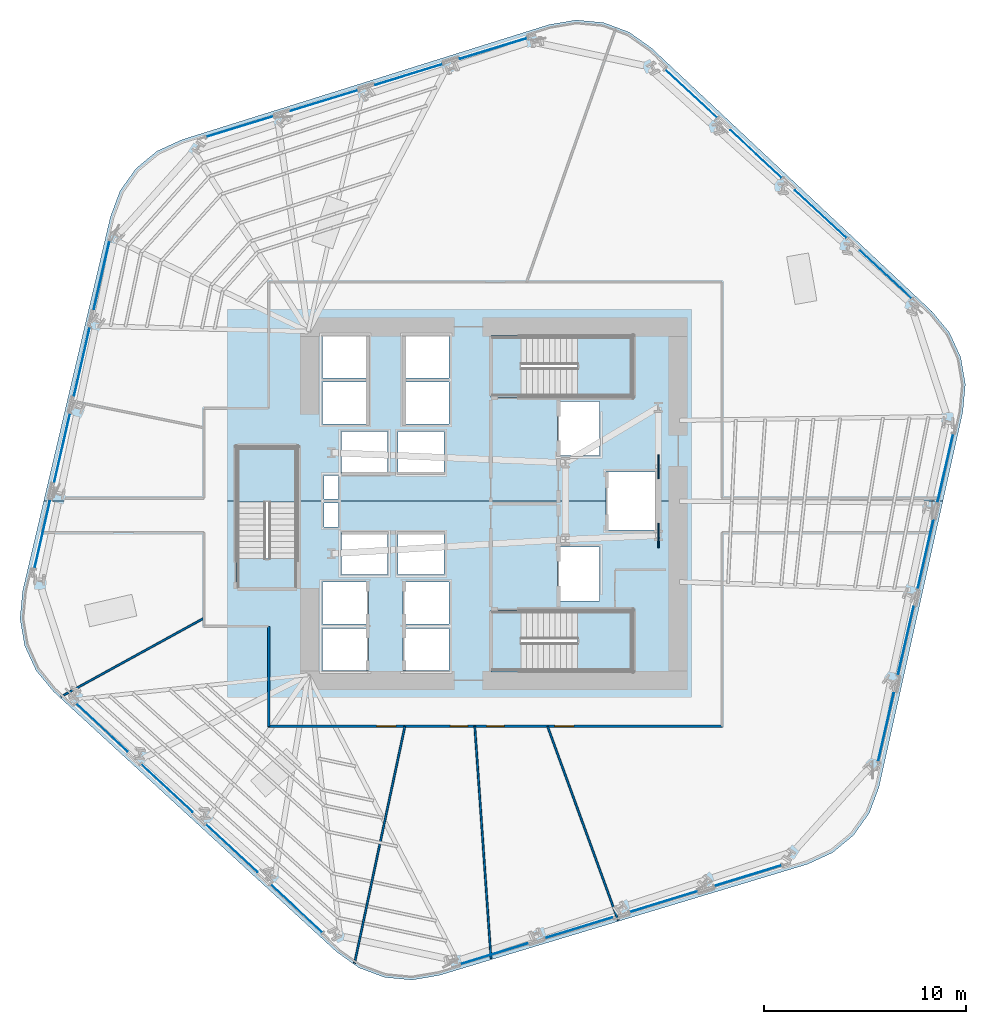
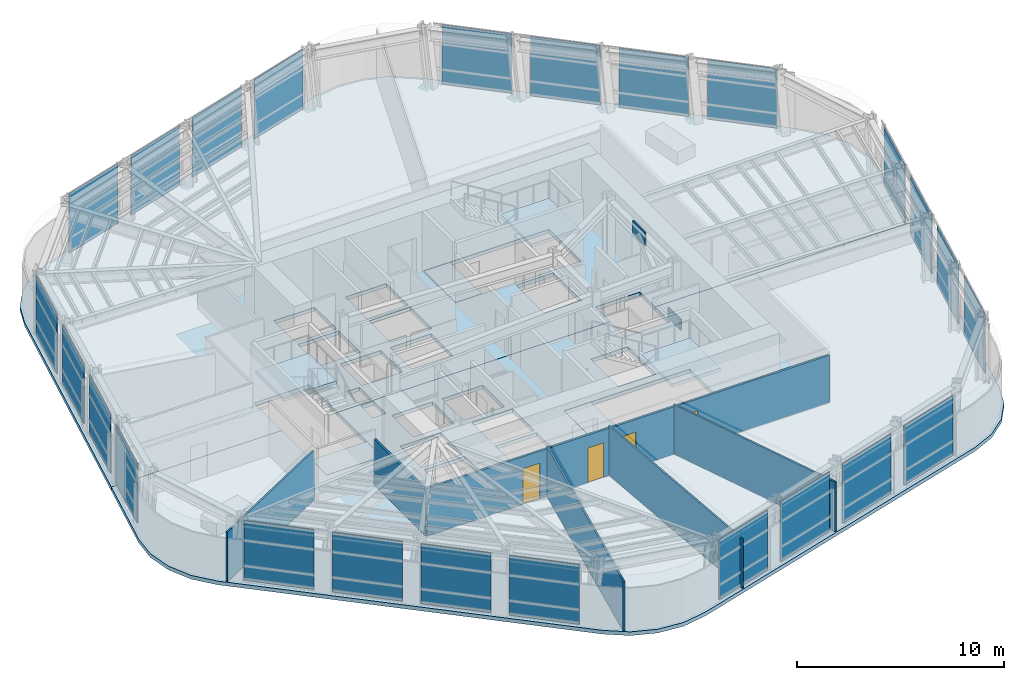
# One storey, part 8 of 16: 26 plates, 8 slabs, 6 walls, 4 doors, 4 openings, 9 elements without a shape of their own.
"""IFC4 building model written with IfcOpenShell, lengths in metres."""

import ifcopenshell
import ifcopenshell.guid

model = None  # the IFC model being written
_history = None  # IfcOwnerHistory: only IFC2X3 demands one
_inside = {}  # id of a spatial element -> (the spatial element, [elements in it])
_under = {}  # id of a project, library or spatial element -> (it, [spatial elements below it])
_declared = {}  # id of a project -> (the project, [libraries it declares])
_typed = {}  # id of a type object -> (the type object, [elements of that type])
_made_of = {}  # id of a material, layer set ... -> (it, [elements and type objects made of it])


def new_model(schema):
    """Start an empty IFC model of exactly this schema.

    Asked for "IFC4X3", IfcOpenShell would pick the latest addendum, in which some entities
    have other attributes; the version numbers below select the first issue.
    IFC2X3 requires an IfcOwnerHistory on every rooted entity: one is made here for all.
    """
    global model, _history
    if schema == "IFC4X3":
        model = ifcopenshell.file(schema_version=(4, 3, 0, 0))
    else:
        model = ifcopenshell.file(schema=schema)
    _inside.clear()
    _under.clear()
    _declared.clear()
    _typed.clear()
    _made_of.clear()
    _history = None
    if model.schema == "IFC2X3":
        org = make("IfcOrganization", Name="unknown")
        user = make(
            "IfcPersonAndOrganization",
            ThePerson=make("IfcPerson", FamilyName="unknown"),
            TheOrganization=org,
        )
        app = make(
            "IfcApplication",
            ApplicationDeveloper=org,
            Version="unknown",
            ApplicationFullName="unknown",
            ApplicationIdentifier="unknown",
        )
        _history = make(
            "IfcOwnerHistory",
            OwningUser=user,
            OwningApplication=app,
            ChangeAction="ADDED",
            CreationDate=0,
        )
    return model


def make(cls, **values):
    """One entity of the class cls with the attributes given. An attribute that is None is left unset."""
    return model.create_entity(
        cls, **{name: value for name, value in values.items() if value is not None}
    )


def rooted(cls, **values):
    """An entity with a GlobalId (a new one), such as an element, a storey or a relation."""
    return make(cls, GlobalId=ifcopenshell.guid.new(), OwnerHistory=_history, **values)


def si_unit(unit_type, name, prefix=None):
    """IfcSIUnit, for example si_unit("LENGTHUNIT", "METRE", prefix="MILLI")."""
    return make("IfcSIUnit", UnitType=unit_type, Prefix=prefix, Name=name)


def assignment(units):
    """IfcUnitAssignment: the units of a project."""
    return None if units is None else make("IfcUnitAssignment", Units=units)


def point(xyz):
    """IfcCartesianPoint."""
    return None if xyz is None else make("IfcCartesianPoint", Coordinates=xyz)


def direction(xyz):
    """IfcDirection."""
    return None if xyz is None else make("IfcDirection", DirectionRatios=xyz)


def frame(location, z_axis=None, x_axis=None):
    """IfcAxis2Placement3D, a coordinate frame: its origin and axes. An axis left out is left unset."""
    return make(
        "IfcAxis2Placement3D",
        Location=point(location),
        Axis=direction(z_axis),
        RefDirection=direction(x_axis),
    )


def frame_2d(location, x_axis=None):
    """IfcAxis2Placement2D, a coordinate frame in the plane: its origin and x axis."""
    return make(
        "IfcAxis2Placement2D", Location=point(location), RefDirection=direction(x_axis)
    )


def origin():
    """The frame at (0, 0, 0) with its axes left unset."""
    return frame((0.0, 0.0, 0.0))


def origin_2d():
    """The frame at (0, 0) in the plane with its x axis left unset."""
    return frame_2d((0.0, 0.0))


def place(relative_to, where):
    """IfcLocalPlacement: puts the frame where relative to a parent placement (None: the world)."""
    return make(
        "IfcLocalPlacement", PlacementRelTo=relative_to, RelativePlacement=where
    )


def context(
    kind, dimensions, precision=None, world=None, true_north=None, identifier=None
):
    """IfcGeometricRepresentationContext, for example the 3D "Model" context."""
    return make(
        "IfcGeometricRepresentationContext",
        ContextIdentifier=identifier,
        ContextType=kind,
        CoordinateSpaceDimension=dimensions,
        Precision=precision,
        WorldCoordinateSystem=world,
        TrueNorth=true_north,
    )


def subcontext(parent, identifier, kind, view, scale=None):
    """IfcGeometricRepresentationSubContext, for example "Body" below "Model"."""
    return make(
        "IfcGeometricRepresentationSubContext",
        ContextIdentifier=identifier,
        ContextType=kind,
        ParentContext=parent,
        TargetScale=scale,
        TargetView=view,
    )


def project(units=None, contexts=None):
    """IfcProject with its units and contexts."""
    return rooted(
        "IfcProject",
        Name="project",
        RepresentationContexts=contexts,
        UnitsInContext=assignment(units),
    )


def spatial(cls, under=None, at=None, **own):
    """A site, building, storey or space (cls), placed at a placement, below another one or the project."""
    s = rooted(cls, ObjectPlacement=at, **own)
    if under is not None:
        _under.setdefault(under.id(), (under, []))[1].append(s)
    return s


def polyline(points):
    """IfcPolyline through the points."""
    return make("IfcPolyline", Points=[point(p) for p in points])


def profile(cls, at=None, kind="AREA", **sizes):
    """A parametric profile (cls). Its sizes go by their IFC names, for example OverallWidth=200.0."""
    return make(cls, ProfileType=kind, Position=at, **sizes)


def rectangle(**sizes):
    """IfcRectangleProfileDef."""
    return profile("IfcRectangleProfileDef", **sizes)


def outline(outer, holes=None, kind="AREA"):
    """IfcArbitraryClosedProfileDef: a profile drawn as a closed curve; with holes, ...WithVoids."""
    if holes is None:
        return make("IfcArbitraryClosedProfileDef", ProfileType=kind, OuterCurve=outer)
    return make(
        "IfcArbitraryProfileDefWithVoids",
        ProfileType=kind,
        OuterCurve=outer,
        InnerCurves=holes,
    )


def extrude(swept, where, along, depth):
    """IfcExtrudedAreaSolid: the profile swept, set in the frame where, extruded along a direction by depth."""
    return make(
        "IfcExtrudedAreaSolid",
        SweptArea=swept,
        Position=where,
        ExtrudedDirection=direction(along),
        Depth=depth,
    )


def shape(context_of_items, identifier, shape_type, items):
    """IfcShapeRepresentation: the items that make up one representation, for example the "Body"."""
    return make(
        "IfcShapeRepresentation",
        ContextOfItems=context_of_items,
        RepresentationIdentifier=identifier,
        RepresentationType=shape_type,
        Items=items,
    )


def material(Name=None, Category=None):
    """IfcMaterial."""
    return make("IfcMaterial", Name=Name, Category=Category)


def layer(
    of_material, thickness, ventilated=None, Name=None, Category=None, Priority=None
):
    """IfcMaterialLayer: one layer of a wall or slab, of a material (None: an air gap)."""
    return make(
        "IfcMaterialLayer",
        Material=of_material,
        LayerThickness=thickness,
        IsVentilated=ventilated,
        Name=Name,
        Category=Category,
        Priority=Priority,
    )


def layer_set(layers, Name=None):
    """IfcMaterialLayerSet."""
    return make("IfcMaterialLayerSet", MaterialLayers=layers, LayerSetName=Name)


def made_of(thing, what):
    """Note that an element or type object is made of a material, layer set ...; save() writes the relation."""
    if what is not None:
        _made_of.setdefault(what.id(), (what, []))[1].append(thing)
    return thing


def type_object(cls, material=None, **own):
    """A type object (cls), such as IfcWallType, which elements share."""
    return made_of(rooted(cls, **own), material)


def element(
    cls,
    number,
    at=None,
    inside=None,
    cuts=None,
    type_object=None,
    material=None,
    context=None,
    identifier="Body",
    shape_type=None,
    held_by="IfcProductDefinitionShape",
    body=None,
    shapes=None,
    **own,
):
    """One element of the class cls, such as IfcWall. Its Tag is "e" and its number.

    at: its placement. inside: the storey or other place that contains it. cuts: it is an
    opening in that element (IfcRelVoidsElement). A single representation is given by context,
    identifier, shape_type and body (its items); several are given by shapes. held_by: the class
    of the entity that holds the representations. save() writes the other relations.
    """
    e = rooted(cls, Tag="e%d" % number, ObjectPlacement=at, **own)
    if body is not None:
        shapes = [shape(context, identifier, shape_type, body)]
    if shapes is not None:
        e.Representation = make(held_by, Representations=shapes)
    if inside is not None:
        _inside.setdefault(inside.id(), (inside, []))[1].append(e)
    if cuts is not None:
        rooted(
            "IfcRelVoidsElement", RelatingBuildingElement=cuts, RelatedOpeningElement=e
        )
    if type_object is not None:
        _typed.setdefault(type_object.id(), (type_object, []))[1].append(e)
    return made_of(e, material)


def fill(opening, filler):
    """IfcRelFillsElement: the door or window that sits in an opening."""
    return rooted(
        "IfcRelFillsElement",
        RelatingOpeningElement=opening,
        RelatedBuildingElement=filler,
    )


def aggregate(whole, parts):
    """IfcRelAggregates: a whole, such as a stair, and the parts it consists of."""
    return rooted("IfcRelAggregates", RelatingObject=whole, RelatedObjects=parts)


def save(model, path):
    """Write the relations noted so far, then the file.

    IfcRelAggregates (storeys below a building ...), IfcRelContainedInSpatialStructure (elements
    in a storey), IfcRelDefinesByType, IfcRelAssociatesMaterial and IfcRelDeclares: one each for
    every whole, place, type object, material and project.
    """
    for whole, parts in _under.values():
        aggregate(whole, parts)
    for where, things in _inside.values():
        rooted(
            "IfcRelContainedInSpatialStructure",
            RelatedElements=things,
            RelatingStructure=where,
        )
    for kind, things in _typed.values():
        rooted("IfcRelDefinesByType", RelatedObjects=things, RelatingType=kind)
    for what, things in _made_of.values():
        rooted("IfcRelAssociatesMaterial", RelatedObjects=things, RelatingMaterial=what)
    for by, libraries in _declared.values():
        rooted("IfcRelDeclares", RelatingContext=by, RelatedDefinitions=libraries)
    model.write(path)


model = new_model("IFC4")

# Units and contexts
model_context = context("Model", 3, precision=1e-05, world=origin(), true_north=direction((0.0, 1.0)))
body_context = subcontext(model_context, "Body", "Model", "MODEL_VIEW")
ifc_project = project(units=[si_unit("LENGTHUNIT", "METRE"), si_unit("AREAUNIT", "SQUARE_METRE"), si_unit("VOLUMEUNIT", "CUBIC_METRE"), si_unit("PLANEANGLEUNIT", "RADIAN"), si_unit("MASSUNIT", "GRAM", prefix="KILO")], contexts=[model_context])

# Site, building, storey
site_placement = place(None, origin())
site = spatial("IfcSite", under=ifc_project, at=site_placement, CompositionType="ELEMENT")
building_placement = place(site_placement, origin())
building = spatial("IfcBuilding", under=site, at=building_placement, Name="Valkerne Bourse Tower", CompositionType="ELEMENT")
storey_placement = place(building_placement, frame((0.0, 0.0, 97.199951171875)))
storey = spatial("IfcBuildingStorey", under=building, at=storey_placement, Name="L24", CompositionType="ELEMENT", Elevation=97.199951171875)

# Curtain wall, plates
ifc_material_1 = material(Name="Aluminium AA 6063-T6", Category="aluminium")
ifc_layer_1 = layer(ifc_material_1, 0.22998046875)
ifc_layer_set_1 = layer_set([ifc_layer_1], Name="Aluminium AA 6063-T6")
curtain_wall_type = type_object("IfcCurtainWallType", Name="CW-02", PredefinedType="NOTDEFINED", material=ifc_layer_set_1)
curtain_wall_1_placement = place(storey_placement, origin())
curtain_wall_1 = element("IfcCurtainWall", 1, at=curtain_wall_1_placement, inside=storey, type_object=curtain_wall_type, Name="L24 Hexagonal Stick Curtain Wall Face 1", PredefinedType="NOTDEFINED")
ifc_material_2 = material(Name="Glass IGU Low-E Double Glazed", Category="glass")
ifc_layer_2 = layer(ifc_material_2, 0.031982421875)
ifc_layer_set_2 = layer_set([ifc_layer_2], Name="Glass IGU Low-E Double Glazed")
plate_type_1 = type_object("IfcPlateType", Name="CW-PNL-IGU-32", PredefinedType="CURTAIN_PANEL", material=ifc_layer_set_2)
plate_1_placement = place(storey_placement, frame((66.202392578125, 38.221435546875, 0.030029296875), z_axis=(0.0, 0.0, 1.0), x_axis=(-0.732539093848, 0.680724963538, 0.0)))
plate_1 = element("IfcPlate", 2, at=plate_1_placement, type_object=plate_type_1, Name="CW-L24-F1 Curtain Panel 00", PredefinedType="CURTAIN_PANEL", context=body_context, shape_type="SweptSolid", body=[
    extrude(rectangle(XDim=3.462890625, YDim=0.031982421875, at=origin_2d()), origin(), (0.0, 0.0, 1.0), 3.52001953125),
])
plate_2_placement = place(storey_placement, frame((62.99169921875, 41.205078125, 0.030029296875), z_axis=(0.0, 0.0, 1.0), x_axis=(-0.732539093848, 0.680724963538, 0.0)))
plate_2 = element("IfcPlate", 3, at=plate_2_placement, type_object=plate_type_1, Name="CW-L24-F1 Curtain Panel 01", PredefinedType="CURTAIN_PANEL", context=body_context, shape_type="SweptSolid", body=[
    extrude(rectangle(XDim=3.462890625, YDim=0.031982421875, at=origin_2d()), origin(), (0.0, 0.0, 1.0), 3.52001953125),
])
plate_3_placement = place(storey_placement, frame((59.781005859375, 44.188720703125, 0.030029296875), z_axis=(0.0, 0.0, 1.0), x_axis=(-0.732549666007, 0.680713586491, 0.0)))
plate_3 = element("IfcPlate", 4, at=plate_3_placement, type_object=plate_type_1, Name="CW-L24-F1 Curtain Panel 02", PredefinedType="CURTAIN_PANEL", context=body_context, shape_type="SweptSolid", body=[
    extrude(rectangle(XDim=3.463134765625, YDim=0.031982421875, at=origin_2d()), origin(), (0.0, 0.0, 1.0), 3.52001953125),
])
plate_4_placement = place(storey_placement, frame((56.5703125, 47.172119140625, 0.030029296875), z_axis=(0.0, 0.0, 1.0), x_axis=(-0.732539093848, 0.680724963538, 0.0)))
plate_4 = element("IfcPlate", 5, at=plate_4_placement, type_object=plate_type_1, Name="CW-L24-F1 Curtain Panel 03", PredefinedType="CURTAIN_PANEL", context=body_context, shape_type="SweptSolid", body=[
    extrude(rectangle(XDim=3.462890625, YDim=0.031982421875, at=origin_2d()), origin(), (0.0, 0.0, 1.0), 3.52001953125),
])
aggregate(curtain_wall_1, [plate_1, plate_2, plate_3, plate_4])

curtain_wall_2_placement = place(storey_placement, origin())
curtain_wall_2 = element("IfcCurtainWall", 6, at=curtain_wall_2_placement, inside=storey, type_object=curtain_wall_type, Name="L24 Hexagonal Stick Curtain Wall Face 2", PredefinedType="NOTDEFINED")
plate_5_placement = place(storey_placement, frame((46.783203125, 49.413818359375, 0.030029296875), z_axis=(0.0, 0.0, 1.0), x_axis=(-0.955790847392, -0.294047370405, 0.0)))
plate_5 = element("IfcPlate", 7, at=plate_5_placement, type_object=plate_type_1, Name="CW-L24-F2 Curtain Panel 00", PredefinedType="CURTAIN_PANEL", context=body_context, shape_type="SweptSolid", body=[
    extrude(rectangle(XDim=3.462890625, YDim=0.031982421875, at=origin_2d()), origin(), (0.0, 0.0, 1.0), 3.52001953125),
])
plate_6_placement = place(storey_placement, frame((42.593994140625, 48.125, 0.030029296875), z_axis=(0.0, 0.0, 1.0), x_axis=(-0.955790847392, -0.294047370405, 0.0)))
plate_6 = element("IfcPlate", 8, at=plate_6_placement, type_object=plate_type_1, Name="CW-L24-F2 Curtain Panel 01", PredefinedType="CURTAIN_PANEL", context=body_context, shape_type="SweptSolid", body=[
    extrude(rectangle(XDim=3.462890625, YDim=0.031982421875, at=origin_2d()), origin(), (0.0, 0.0, 1.0), 3.52001953125),
])
plate_7_placement = place(storey_placement, frame((38.40478515625, 46.836181640625, 0.030029296875), z_axis=(0.0, 0.0, 1.0), x_axis=(-0.95579282005, -0.294040958271, 0.0)))
plate_7 = element("IfcPlate", 9, at=plate_7_placement, type_object=plate_type_1, Name="CW-L24-F2 Curtain Panel 02", PredefinedType="CURTAIN_PANEL", context=body_context, shape_type="SweptSolid", body=[
    extrude(rectangle(XDim=3.462890625, YDim=0.031982421875, at=origin_2d()), origin(), (0.0, 0.0, 1.0), 3.52001953125),
])
plate_8_placement = place(storey_placement, frame((34.215576171875, 45.54736328125, 0.030029296875), z_axis=(0.0, 0.0, 1.0), x_axis=(-0.955790847392, -0.294047370405, 0.0)))
plate_8 = element("IfcPlate", 10, at=plate_8_placement, type_object=plate_type_1, Name="CW-L24-F2 Curtain Panel 03", PredefinedType="CURTAIN_PANEL", context=body_context, shape_type="SweptSolid", body=[
    extrude(rectangle(XDim=3.462890625, YDim=0.031982421875, at=origin_2d()), origin(), (0.0, 0.0, 1.0), 3.52001953125),
])
aggregate(curtain_wall_2, [plate_5, plate_6, plate_7, plate_8])

curtain_wall_3_placement = place(storey_placement, origin())
curtain_wall_3 = element("IfcCurtainWall", 11, at=curtain_wall_3_placement, inside=storey, type_object=curtain_wall_type, Name="L24 Hexagonal Stick Curtain Wall Face 3", PredefinedType="NOTDEFINED")
plate_9_placement = place(storey_placement, frame((27.380859375, 38.1923828125, 0.030029296875), z_axis=(0.0, 0.0, 1.0), x_axis=(-0.22324789938, -0.974761701865, 0.0)))
plate_9 = element("IfcPlate", 12, at=plate_9_placement, type_object=plate_type_1, Name="CW-L24-F3 Curtain Panel 00", PredefinedType="CURTAIN_PANEL", context=body_context, shape_type="SweptSolid", body=[
    extrude(rectangle(XDim=3.462890625, YDim=0.031982421875, at=origin_2d()), origin(), (0.0, 0.0, 1.0), 3.52001953125),
])
plate_10_placement = place(storey_placement, frame((26.40234375, 33.919921875, 0.030029296875), z_axis=(0.0, 0.0, 1.0), x_axis=(-0.22324789938, -0.974761701865, 0.0)))
plate_10 = element("IfcPlate", 13, at=plate_10_placement, type_object=plate_type_1, Name="CW-L24-F3 Curtain Panel 01", PredefinedType="CURTAIN_PANEL", context=body_context, shape_type="SweptSolid", body=[
    extrude(rectangle(XDim=3.462890625, YDim=0.031982421875, at=origin_2d()), origin(), (0.0, 0.0, 1.0), 3.52001953125),
])
plate_11_placement = place(storey_placement, frame((25.423828125, 29.647705078125, 0.030029296875), z_axis=(0.0, 0.0, 1.0), x_axis=(-0.223252864393, -0.974760564724, 0.0)))
plate_11 = element("IfcPlate", 14, at=plate_11_placement, type_object=plate_type_1, Name="CW-L24-F3 Curtain Panel 02", PredefinedType="CURTAIN_PANEL", context=body_context, shape_type="SweptSolid", body=[
    extrude(rectangle(XDim=3.462890625, YDim=0.031982421875, at=origin_2d()), origin(), (0.0, 0.0, 1.0), 3.52001953125),
])
plate_12_placement = place(storey_placement, frame((24.4453125, 25.375244140625, 0.030029296875), z_axis=(0.0, 0.0, 1.0), x_axis=(-0.22324789938, -0.974761701865, 0.0)))
plate_12 = element("IfcPlate", 15, at=plate_12_placement, type_object=plate_type_1, Name="CW-L24-F3 Curtain Panel 03", PredefinedType="CURTAIN_PANEL", context=body_context, shape_type="SweptSolid", body=[
    extrude(rectangle(XDim=3.462890625, YDim=0.031982421875, at=origin_2d()), origin(), (0.0, 0.0, 1.0), 3.52001953125),
])
aggregate(curtain_wall_3, [plate_9, plate_10, plate_11, plate_12])

curtain_wall_4_placement = place(storey_placement, origin())
curtain_wall_4 = element("IfcCurtainWall", 16, at=curtain_wall_4_placement, inside=storey, type_object=curtain_wall_type, Name="L24 Hexagonal Stick Curtain Wall Face 4", PredefinedType="NOTDEFINED")
plate_13_placement = place(storey_placement, frame((27.397705078125, 15.778564453125, 0.030029296875), z_axis=(0.0, 0.0, 1.0), x_axis=(0.732539093848, -0.680724963538, 0.0)))
plate_13 = element("IfcPlate", 17, at=plate_13_placement, type_object=plate_type_1, Name="CW-L24-F4 Curtain Panel 00", PredefinedType="CURTAIN_PANEL", context=body_context, shape_type="SweptSolid", body=[
    extrude(rectangle(XDim=3.462890625, YDim=0.031982421875, at=origin_2d()), origin(), (0.0, 0.0, 1.0), 3.52001953125),
])
plate_14_placement = place(storey_placement, frame((30.6083984375, 12.794921875, 0.030029296875), z_axis=(0.0, 0.0, 1.0), x_axis=(0.732539093848, -0.680724963538, 0.0)))
plate_14 = element("IfcPlate", 18, at=plate_14_placement, type_object=plate_type_1, Name="CW-L24-F4 Curtain Panel 01", PredefinedType="CURTAIN_PANEL", context=body_context, shape_type="SweptSolid", body=[
    extrude(rectangle(XDim=3.462890625, YDim=0.031982421875, at=origin_2d()), origin(), (0.0, 0.0, 1.0), 3.52001953125),
])
plate_15_placement = place(storey_placement, frame((33.819091796875, 9.811279296875, 0.030029296875), z_axis=(0.0, 0.0, 1.0), x_axis=(0.732549666007, -0.680713586491, 0.0)))
plate_15 = element("IfcPlate", 19, at=plate_15_placement, type_object=plate_type_1, Name="CW-L24-F4 Curtain Panel 02", PredefinedType="CURTAIN_PANEL", context=body_context, shape_type="SweptSolid", body=[
    extrude(rectangle(XDim=3.463134765625, YDim=0.031982421875, at=origin_2d()), origin(), (0.0, 0.0, 1.0), 3.52001953125),
])
plate_16_placement = place(storey_placement, frame((37.02978515625, 6.827880859375, 0.030029296875), z_axis=(0.0, 0.0, 1.0), x_axis=(0.732539093848, -0.680724963538, 0.0)))
plate_16 = element("IfcPlate", 20, at=plate_16_placement, type_object=plate_type_1, Name="CW-L24-F4 Curtain Panel 03", PredefinedType="CURTAIN_PANEL", context=body_context, shape_type="SweptSolid", body=[
    extrude(rectangle(XDim=3.462890625, YDim=0.031982421875, at=origin_2d()), origin(), (0.0, 0.0, 1.0), 3.52001953125),
])
aggregate(curtain_wall_4, [plate_13, plate_14, plate_15, plate_16])

curtain_wall_5_placement = place(storey_placement, origin())
curtain_wall_5 = element("IfcCurtainWall", 21, at=curtain_wall_5_placement, inside=storey, type_object=curtain_wall_type, Name="L24 Hexagonal Stick Curtain Wall Face 5", PredefinedType="NOTDEFINED")
plate_17_placement = place(storey_placement, frame((46.816650390625, 4.586181640625, 0.030029296875), z_axis=(0.0, 0.0, 1.0), x_axis=(0.955790847392, 0.294047370405, 0.0)))
plate_17 = element("IfcPlate", 22, at=plate_17_placement, type_object=plate_type_1, Name="CW-L24-F5 Curtain Panel 00", PredefinedType="CURTAIN_PANEL", context=body_context, shape_type="SweptSolid", body=[
    extrude(rectangle(XDim=3.462890625, YDim=0.031982421875, at=origin_2d()), origin(), (0.0, 0.0, 1.0), 3.52001953125),
])
plate_18_placement = place(storey_placement, frame((51.005859375, 5.875, 0.030029296875), z_axis=(0.0, 0.0, 1.0), x_axis=(0.955790847392, 0.294047370405, 0.0)))
plate_18 = element("IfcPlate", 23, at=plate_18_placement, type_object=plate_type_1, Name="CW-L24-F5 Curtain Panel 01", PredefinedType="CURTAIN_PANEL", context=body_context, shape_type="SweptSolid", body=[
    extrude(rectangle(XDim=3.462890625, YDim=0.031982421875, at=origin_2d()), origin(), (0.0, 0.0, 1.0), 3.52001953125),
])
plate_19_placement = place(storey_placement, frame((55.1953125, 7.163818359375, 0.030029296875), z_axis=(0.0, 0.0, 1.0), x_axis=(0.95579282005, 0.294040958271, 0.0)))
plate_19 = element("IfcPlate", 24, at=plate_19_placement, type_object=plate_type_1, Name="CW-L24-F5 Curtain Panel 02", PredefinedType="CURTAIN_PANEL", context=body_context, shape_type="SweptSolid", body=[
    extrude(rectangle(XDim=3.462890625, YDim=0.031982421875, at=origin_2d()), origin(), (0.0, 0.0, 1.0), 3.52001953125),
])
plate_20_placement = place(storey_placement, frame((59.384521484375, 8.45263671875, 0.030029296875), z_axis=(0.0, 0.0, 1.0), x_axis=(0.955790847392, 0.294047370405, 0.0)))
plate_20 = element("IfcPlate", 25, at=plate_20_placement, type_object=plate_type_1, Name="CW-L24-F5 Curtain Panel 03", PredefinedType="CURTAIN_PANEL", context=body_context, shape_type="SweptSolid", body=[
    extrude(rectangle(XDim=3.462890625, YDim=0.031982421875, at=origin_2d()), origin(), (0.0, 0.0, 1.0), 3.52001953125),
])
aggregate(curtain_wall_5, [plate_17, plate_18, plate_19, plate_20])

curtain_wall_6_placement = place(storey_placement, origin())
curtain_wall_6 = element("IfcCurtainWall", 26, at=curtain_wall_6_placement, inside=storey, type_object=curtain_wall_type, Name="L24 Hexagonal Stick Curtain Wall Face 6", PredefinedType="NOTDEFINED")
plate_21_placement = place(storey_placement, frame((66.21923828125, 15.8076171875, 0.030029296875), z_axis=(0.0, 0.0, 1.0), x_axis=(0.22324789938, 0.974761701865, 0.0)))
plate_21 = element("IfcPlate", 27, at=plate_21_placement, type_object=plate_type_1, Name="CW-L24-F6 Curtain Panel 00", PredefinedType="CURTAIN_PANEL", context=body_context, shape_type="SweptSolid", body=[
    extrude(rectangle(XDim=3.462890625, YDim=0.031982421875, at=origin_2d()), origin(), (0.0, 0.0, 1.0), 3.52001953125),
])
plate_22_placement = place(storey_placement, frame((67.19775390625, 20.080078125, 0.030029296875), z_axis=(0.0, 0.0, 1.0), x_axis=(0.22324789938, 0.974761701865, 0.0)))
plate_22 = element("IfcPlate", 28, at=plate_22_placement, type_object=plate_type_1, Name="CW-L24-F6 Curtain Panel 01", PredefinedType="CURTAIN_PANEL", context=body_context, shape_type="SweptSolid", body=[
    extrude(rectangle(XDim=3.462890625, YDim=0.031982421875, at=origin_2d()), origin(), (0.0, 0.0, 1.0), 3.52001953125),
])
plate_23_placement = place(storey_placement, frame((68.17626953125, 24.352294921875, 0.030029296875), z_axis=(0.0, 0.0, 1.0), x_axis=(0.223252864393, 0.974760564724, 0.0)))
plate_23 = element("IfcPlate", 29, at=plate_23_placement, type_object=plate_type_1, Name="CW-L24-F6 Curtain Panel 02", PredefinedType="CURTAIN_PANEL", context=body_context, shape_type="SweptSolid", body=[
    extrude(rectangle(XDim=3.462890625, YDim=0.031982421875, at=origin_2d()), origin(), (0.0, 0.0, 1.0), 3.52001953125),
])
plate_24_placement = place(storey_placement, frame((69.15478515625, 28.624755859375, 0.030029296875), z_axis=(0.0, 0.0, 1.0), x_axis=(0.22324789938, 0.974761701865, 0.0)))
plate_24 = element("IfcPlate", 30, at=plate_24_placement, type_object=plate_type_1, Name="CW-L24-F6 Curtain Panel 03", PredefinedType="CURTAIN_PANEL", context=body_context, shape_type="SweptSolid", body=[
    extrude(rectangle(XDim=3.462890625, YDim=0.031982421875, at=origin_2d()), origin(), (0.0, 0.0, 1.0), 3.52001953125),
])
aggregate(curtain_wall_6, [plate_21, plate_22, plate_23, plate_24])

# Plates
ifc_material_3 = material(Name="Steel ASTM A572 Grade 50", Category="steel")
ifc_layer_3 = layer(ifc_material_3, 0.06005859375)
ifc_layer_set_3 = layer_set([ifc_layer_3], Name="Steel ASTM A572 Grade 50")
plate_type_2 = type_object("IfcPlateType", Name="PLT-GUS-60", PredefinedType="SHEET", material=ifc_layer_set_3)
for number, where, z_axis, x_axis, name in (
    (31, (54.949951171875, 25.300048828125, -0.18017578125), (0.0, 0.0, 1.0), (0.0, 1.0, 0.0), "L24 Brace Node Gusset Plate PLT-GUS-END-L24-364"),
    (32, (54.949951171875, 28.699951171875, 2.8740234375), (0.0, 0.0, 1.0), (0.0, 1.0, 0.0), "L24 Brace Node Gusset Plate PLT-GUS-END-L24-365"),
):
    element("IfcPlate", number, at=place(storey_placement, frame(where, z_axis=z_axis, x_axis=x_axis)), inside=storey, type_object=plate_type_2, Name=name, PredefinedType="SHEET", context=body_context, shape_type="SweptSolid", body=[
        extrude(rectangle(XDim=1.199951171875, YDim=0.06005859375, at=origin_2d()), origin(), (0.0, 0.0, 1.0), 0.800048828125),
    ])

# Slabs
ifc_material_4 = material(Name="Concrete C40/50", Category="concrete")
ifc_layer_4 = layer(ifc_material_4, 0.25)
ifc_layer_set_4 = layer_set([ifc_layer_4], Name="Concrete C40/50")
slab_type_1 = type_object("IfcSlabType", Name="SLB-RMP-LND-250", PredefinedType="LANDING", material=ifc_layer_set_4)
slab_1_placement = place(storey_placement, frame((0.0, 0.0, -0.219970703125)))
element("IfcSlab", 33, at=slab_1_placement, inside=storey, type_object=slab_type_1, Name="L24 ST-1 Floor Landing Slab", PredefinedType="LANDING", context=body_context, shape_type="SweptSolid", body=[
    extrude(outline(polyline([(46.669921875, 18.5400390625), (48.14990234375, 18.5400390625), (48.14990234375, 21.610107421875), (46.669921875, 21.610107421875), (46.669921875, 18.5400390625)])), origin(), (0.0, 0.0, 1.0), 0.219970703125),
])
slab_2_placement = place(storey_placement, frame((0.0, 0.0, -0.219970703125)))
element("IfcSlab", 34, at=slab_2_placement, inside=storey, type_object=slab_type_1, Name="L24 ST-2 Floor Landing Slab", PredefinedType="LANDING", context=body_context, shape_type="SweptSolid", body=[
    extrude(outline(polyline([(46.669921875, 32.139892578125), (48.14990234375, 32.139892578125), (48.14990234375, 35.2099609375), (46.669921875, 35.2099609375), (46.669921875, 32.139892578125)])), origin(), (0.0, 0.0, 1.0), 0.219970703125),
])
slab_3_placement = place(storey_placement, frame((0.0, 0.0, -0.219970703125)))
element("IfcSlab", 35, at=slab_3_placement, inside=storey, type_object=slab_type_1, Name="L24 ST-3 Floor Landing Slab", PredefinedType="LANDING", context=body_context, shape_type="SweptSolid", body=[
    extrude(outline(polyline([(37.110107421875, 22.669921875), (37.110107421875, 24.14990234375), (34.0400390625, 24.14990234375), (34.0400390625, 22.669921875), (37.110107421875, 22.669921875)])), origin(), (0.0, 0.0, 1.0), 0.219970703125),
])

# Stair, slab
stair_type = type_object("IfcStairType", Name="ST-CORE-1400", PredefinedType="HALF_TURN_STAIR", material=ifc_material_4)
stair_1_placement = place(storey_placement, origin())
stair_1 = element("IfcStair", 36, at=stair_1_placement, inside=storey, type_object=stair_type, Name="L24 ST-1", PredefinedType="HALF_TURN_STAIR")
ifc_layer_5 = layer(ifc_material_4, 0.179931640625)
ifc_layer_set_5 = layer_set([ifc_layer_5], Name="Concrete C40/50")
slab_type_2 = type_object("IfcSlabType", Name="SLB-ST-LND-180", PredefinedType="LANDING", material=ifc_layer_set_5)
slab_4_placement = place(storey_placement, frame((0.0, 0.0, 1.699951171875)))
slab_4 = element("IfcSlab", 37, at=slab_4_placement, type_object=slab_type_2, Name="ST-1 landing 1", PredefinedType="LANDING", context=body_context, shape_type="SweptSolid", body=[
    extrude(outline(polyline([(50.949951171875, 18.60009765625), (53.64990234375, 18.60009765625), (53.64990234375, 21.550048828125), (50.949951171875, 21.550048828125), (50.949951171875, 18.60009765625)])), origin(), (0.0, 0.0, 1.0), 0.2001953125),
])
aggregate(stair_1, [slab_4])

stair_2_placement = place(storey_placement, origin())
stair_2 = element("IfcStair", 38, at=stair_2_placement, inside=storey, type_object=stair_type, Name="L24 ST-2", PredefinedType="HALF_TURN_STAIR")
slab_5_placement = place(storey_placement, frame((0.0, 0.0, 1.699951171875)))
slab_5 = element("IfcSlab", 39, at=slab_5_placement, type_object=slab_type_2, Name="ST-2 landing 1", PredefinedType="LANDING", context=body_context, shape_type="SweptSolid", body=[
    extrude(outline(polyline([(50.949951171875, 32.199951171875), (53.64990234375, 32.199951171875), (53.64990234375, 35.14990234375), (50.949951171875, 35.14990234375), (50.949951171875, 32.199951171875)])), origin(), (0.0, 0.0, 1.0), 0.2001953125),
])
aggregate(stair_2, [slab_5])

stair_3_placement = place(storey_placement, origin())
stair_3 = element("IfcStair", 40, at=stair_3_placement, inside=storey, type_object=stair_type, Name="L24 ST-3", PredefinedType="HALF_TURN_STAIR")
slab_6_placement = place(storey_placement, frame((0.0, 0.0, 1.699951171875)))
slab_6 = element("IfcSlab", 41, at=slab_6_placement, type_object=slab_type_2, Name="ST-3 landing 1", PredefinedType="LANDING", context=body_context, shape_type="SweptSolid", body=[
    extrude(outline(polyline([(37.050048828125, 26.949951171875), (37.050048828125, 29.64990234375), (34.10009765625, 29.64990234375), (34.10009765625, 26.949951171875), (37.050048828125, 26.949951171875)])), origin(), (0.0, 0.0, 1.0), 0.2001953125),
])
aggregate(stair_3, [slab_6])

# Slabs
ifc_layer_6 = layer(ifc_material_4, 0.219970703125)
ifc_layer_set_6 = layer_set([ifc_layer_6], Name="Concrete C40/50")
slab_type_3 = type_object("IfcSlabType", Name="SLB-TOW-220", PredefinedType="FLOOR", material=ifc_layer_set_6)
slab_7_placement = place(storey_placement, frame((0.0, 0.0, -0.219970703125)))
element("IfcSlab", 42, at=slab_7_placement, inside=storey, type_object=slab_type_3, Name="L24 Hexagonal Composite Floor Slab S", PredefinedType="FLOOR", context=body_context, shape_type="SweptSolid", body=[
    extrude(outline(polyline([(65.39599609375, 11.556640625), (64.60986328125, 10.4501953125), (63.563720703125, 9.5849609375), (62.32958984375, 9.019775390625), (44.088134765625, 3.513671875), (42.749755859375, 3.287353515625), (41.398193359375, 3.4150390625), (40.1259765625, 3.88818359375), (39.01953125, 4.674560546875), (24.992919921875, 17.571044921875), (24.127685546875, 18.616943359375), (23.5625, 19.851318359375), (23.336181640625, 21.189697265625), (23.4638671875, 22.541015625), (24.510009765625, 27.0), (34.034912109375, 27.0), (34.034912109375, 22.6650390625), (37.114990234375, 22.6650390625), (37.114990234375, 27.0), (52.360107421875, 27.0), (52.360107421875, 25.56005859375), (54.840087890625, 25.56005859375), (54.840087890625, 27.0), (69.035888671875, 27.0), (65.869384765625, 12.8291015625), (65.39599609375, 11.556640625)]), holes=[polyline([(40.590087890625, 20.68994140625), (38.31005859375, 20.68994140625), (38.31005859375, 18.610107421875), (40.590087890625, 18.610107421875), (40.590087890625, 20.68994140625)]), polyline([(40.590087890625, 22.989990234375), (38.31005859375, 22.989990234375), (38.31005859375, 20.909912109375), (40.590087890625, 20.909912109375), (40.590087890625, 22.989990234375)]), polyline([(41.5400390625, 25.43994140625), (39.260009765625, 25.43994140625), (39.260009765625, 23.360107421875), (41.5400390625, 23.360107421875), (41.5400390625, 25.43994140625)]), polyline([(39.10009765625, 25.72998046875), (39.10009765625, 26.89990234375), (38.3798828125, 26.89990234375), (38.3798828125, 25.72998046875), (39.10009765625, 25.72998046875)]), polyline([(44.590087890625, 20.68994140625), (42.31005859375, 20.68994140625), (42.31005859375, 18.610107421875), (44.590087890625, 18.610107421875), (44.590087890625, 20.68994140625)]), polyline([(53.675048828125, 21.614990234375), (46.6650390625, 21.614990234375), (46.6650390625, 18.534912109375), (53.675048828125, 18.534912109375), (53.675048828125, 21.614990234375)]), polyline([(44.590087890625, 22.989990234375), (42.31005859375, 22.989990234375), (42.31005859375, 20.909912109375), (44.590087890625, 20.909912109375), (44.590087890625, 22.989990234375)]), polyline([(52.0400390625, 22.06005859375), (52.0400390625, 24.739990234375), (49.9599609375, 24.739990234375), (49.9599609375, 22.06005859375), (52.0400390625, 22.06005859375)]), polyline([(44.340087890625, 23.360107421875), (44.340087890625, 25.43994140625), (42.06005859375, 25.43994140625), (42.06005859375, 23.360107421875), (44.340087890625, 23.360107421875)])]), origin(), (0.0, 0.0, 1.0), 0.219970703125),
])
slab_8_placement = place(storey_placement, frame((0.0, 0.0, -0.219970703125)))
element("IfcSlab", 43, at=slab_8_placement, inside=storey, type_object=slab_type_3, Name="L24 Hexagonal Composite Floor Slab N", PredefinedType="FLOOR", context=body_context, shape_type="SweptSolid", body=[
    extrude(outline(polyline([(27.816162109375, 41.091552734375), (28.289306640625, 42.364013671875), (29.07568359375, 43.470458984375), (30.12158203125, 44.335693359375), (31.35595703125, 44.90087890625), (49.537841796875, 50.60009765625), (50.876220703125, 50.826416015625), (52.227783203125, 50.698486328125), (53.5, 50.2255859375), (54.606689453125, 49.439208984375), (68.49560546875, 36.394775390625), (69.36083984375, 35.3486328125), (69.92578125, 34.114501953125), (70.15234375, 32.77587890625), (70.024658203125, 31.424560546875), (69.035888671875, 27.0), (54.840087890625, 27.0), (54.840087890625, 28.43994140625), (52.360107421875, 28.43994140625), (52.360107421875, 27.0), (37.114990234375, 27.0), (37.114990234375, 29.675048828125), (34.034912109375, 29.675048828125), (34.034912109375, 27.0), (24.510009765625, 27.0), (27.816162109375, 41.091552734375)]), holes=[polyline([(39.10009765625, 28.27001953125), (38.3798828125, 28.27001953125), (38.3798828125, 27.10009765625), (39.10009765625, 27.10009765625), (39.10009765625, 28.27001953125)]), polyline([(41.5400390625, 30.43994140625), (39.260009765625, 30.43994140625), (39.260009765625, 28.360107421875), (41.5400390625, 28.360107421875), (41.5400390625, 30.43994140625)]), polyline([(44.340087890625, 30.43994140625), (42.06005859375, 30.43994140625), (42.06005859375, 28.360107421875), (44.340087890625, 28.360107421875), (44.340087890625, 30.43994140625)]), polyline([(40.590087890625, 30.81005859375), (40.590087890625, 32.889892578125), (38.31005859375, 32.889892578125), (38.31005859375, 30.81005859375), (40.590087890625, 30.81005859375)]), polyline([(40.590087890625, 33.110107421875), (40.590087890625, 35.18994140625), (38.31005859375, 35.18994140625), (38.31005859375, 33.110107421875), (40.590087890625, 33.110107421875)]), polyline([(52.0400390625, 31.93994140625), (49.9599609375, 31.93994140625), (49.9599609375, 29.260009765625), (52.0400390625, 29.260009765625), (52.0400390625, 31.93994140625)]), polyline([(44.590087890625, 32.889892578125), (42.31005859375, 32.889892578125), (42.31005859375, 30.81005859375), (44.590087890625, 30.81005859375), (44.590087890625, 32.889892578125)]), polyline([(53.675048828125, 32.135009765625), (53.675048828125, 35.215087890625), (46.6650390625, 35.215087890625), (46.6650390625, 32.135009765625), (53.675048828125, 32.135009765625)]), polyline([(44.590087890625, 33.110107421875), (44.590087890625, 35.18994140625), (42.31005859375, 35.18994140625), (42.31005859375, 33.110107421875), (44.590087890625, 33.110107421875)])]), origin(), (0.0, 0.0, 1.0), 0.219970703125),
])

# Wall, openings, doors
ifc_material_5 = material(Name="Gypsum Board Steel-Stud Partition", Category="steel")
ifc_layer_7 = layer(ifc_material_5, 0.117919921875)
ifc_layer_set_7 = layer_set([ifc_layer_7], Name="Gypsum Board Steel-Stud Partition")
wall_type_1 = type_object("IfcWallType", Name="W-CORR-140", PredefinedType="PARTITIONING", material=ifc_layer_set_7)
wall_1_placement = place(storey_placement, frame((58.10009765625, 15.85009765625, 0.0), z_axis=(0.0, 0.0, 1.0), x_axis=(-1.0, 0.0, 0.0)))
wall_1 = element("IfcWall", 44, at=wall_1_placement, inside=storey, type_object=wall_type_1, Name="L24 Corridor Enclosure Wall", PredefinedType="PARTITIONING", context=body_context, shape_type="SweptSolid", body=[
    extrude(rectangle(XDim=22.4501953125, YDim=0.117919921875, at=frame_2d((11.22509765625, 0.0))), origin(), (0.0, 0.0, 1.0), 2.800537109375),
])
opening_1_placement = place(wall_1_placement, frame((10.794921875, 0.0, 0.0)))
opening_1 = element("IfcOpeningElement", 45, at=opening_1_placement, cuts=wall_1, Name="Opening D-WC-900", PredefinedType="OPENING", context=body_context, shape_type="SweptSolid", body=[
    extrude(rectangle(XDim=0.860107421875, YDim=2.050048828125, at=frame_2d((0.43017578125, 1.02490234375))), frame((0.0, 0.06884765625, 0.0), z_axis=(0.0, -1.0, 0.0), x_axis=(1.0, 0.0, 0.0)), (0.0, 0.0, 1.0), 0.137939453125),
])
opening_2_placement = place(wall_1_placement, frame((12.594970703125, 0.0, 0.0)))
opening_2 = element("IfcOpeningElement", 46, at=opening_2_placement, cuts=wall_1, Name="Opening D-WC-900", PredefinedType="OPENING", context=body_context, shape_type="SweptSolid", body=[
    extrude(rectangle(XDim=0.860107421875, YDim=2.050048828125, at=frame_2d((0.43017578125, 1.02490234375))), frame((0.0, 0.06884765625, 0.0), z_axis=(0.0, -1.0, 0.0), x_axis=(1.0, 0.0, 0.0)), (0.0, 0.0, 1.0), 0.137939453125),
])
opening_3_placement = place(wall_1_placement, frame((16.14990234375, 0.0, 0.0)))
opening_3 = element("IfcOpeningElement", 47, at=opening_3_placement, cuts=wall_1, Name="Opening D-OF-950", PredefinedType="OPENING", context=body_context, shape_type="SweptSolid", body=[
    extrude(rectangle(XDim=0.949951171875, YDim=2.10009765625, at=frame_2d((0.47509765625, 1.050048828125))), frame((0.0, 0.06884765625, 0.0), z_axis=(0.0, -1.0, 0.0), x_axis=(1.0, 0.0, 0.0)), (0.0, 0.0, 1.0), 0.137939453125),
])
opening_4_placement = place(wall_1_placement, frame((7.330078125, 0.0, 0.0)))
opening_4 = element("IfcOpeningElement", 48, at=opening_4_placement, cuts=wall_1, Name="Opening D-OF-950", PredefinedType="OPENING", context=body_context, shape_type="SweptSolid", body=[
    extrude(rectangle(XDim=0.949951171875, YDim=2.10009765625, at=frame_2d((0.47509765625, 1.050048828125))), frame((0.0, 0.06884765625, 0.0), z_axis=(0.0, -1.0, 0.0), x_axis=(1.0, 0.0, 0.0)), (0.0, 0.0, 1.0), 0.137939453125),
])
ifc_material_6 = material(Name="Architectural White Oak Timber", Category="wood")
door_type_1 = type_object("IfcDoorType", Name="DR-OFF-950", OperationType="NOTDEFINED", PredefinedType="DOOR", material=ifc_material_6)
door_1_placement = place(opening_3_placement, origin())
door_1 = element("IfcDoor", 49, at=door_1_placement, inside=storey, type_object=door_type_1, Name="L24 L24 Exchange Security Control Room 4 Door", OperationType="SINGLE_SWING_LEFT", OverallHeight=2.10009765625, OverallWidth=0.949951171875, PredefinedType="DOOR", context=body_context, shape_type="SweptSolid", body=[
    extrude(rectangle(XDim=0.949951171875, YDim=2.10009765625, at=frame_2d((0.47509765625, 1.050048828125))), frame((0.0, 0.02490234375, 0.0), z_axis=(0.0, -1.0, 0.0), x_axis=(1.0, 0.0, 0.0)), (0.0, 0.0, 1.0), 0.050048828125),
])
fill(opening_3, door_1)
door_2_placement = place(opening_4_placement, origin())
door_2 = element("IfcDoor", 50, at=door_2_placement, inside=storey, type_object=door_type_1, Name="L24 L24 Commodities Market Showroom 6 Door", OperationType="SINGLE_SWING_RIGHT", OverallHeight=2.10009765625, OverallWidth=0.949951171875, PredefinedType="DOOR", context=body_context, shape_type="SweptSolid", body=[
    extrude(rectangle(XDim=0.949951171875, YDim=2.10009765625, at=frame_2d((0.47509765625, 1.050048828125))), frame((0.0, 0.02490234375, 0.0), z_axis=(0.0, -1.0, 0.0), x_axis=(1.0, 0.0, 0.0)), (0.0, 0.0, 1.0), 0.050048828125),
])
fill(opening_4, door_2)
door_type_2 = type_object("IfcDoorType", Name="DR-WC-900", OperationType="NOTDEFINED", PredefinedType="DOOR", material=ifc_material_6)
door_3_placement = place(opening_1_placement, origin())
door_3 = element("IfcDoor", 51, at=door_3_placement, inside=storey, type_object=door_type_2, Name="L24 L24 Men Bathroom WC 1 Door", OperationType="SINGLE_SWING_LEFT", OverallHeight=2.050048828125, OverallWidth=0.860107421875, PredefinedType="DOOR", context=body_context, shape_type="SweptSolid", body=[
    extrude(rectangle(XDim=0.860107421875, YDim=2.050048828125, at=frame_2d((0.43017578125, 1.02490234375))), frame((0.0, 0.02490234375, 0.0), z_axis=(0.0, -1.0, 0.0), x_axis=(1.0, 0.0, 0.0)), (0.0, 0.0, 1.0), 0.050048828125),
])
fill(opening_1, door_3)
door_4_placement = place(opening_2_placement, origin())
door_4 = element("IfcDoor", 52, at=door_4_placement, inside=storey, type_object=door_type_2, Name="L24 L24 Women Restroom & Shower WC 2 Door", OperationType="SINGLE_SWING_LEFT", OverallHeight=2.050048828125, OverallWidth=0.860107421875, PredefinedType="DOOR", context=body_context, shape_type="SweptSolid", body=[
    extrude(rectangle(XDim=0.860107421875, YDim=2.050048828125, at=frame_2d((0.43017578125, 1.02490234375))), frame((0.0, 0.02490234375, 0.0), z_axis=(0.0, -1.0, 0.0), x_axis=(1.0, 0.0, 0.0)), (0.0, 0.0, 1.0), 0.050048828125),
])
fill(opening_2, door_4)

# Walls
wall_2_placement = place(storey_placement, frame((35.64990234375, 15.85009765625, 0.0), z_axis=(0.0, 0.0, 1.0), x_axis=(0.0, 1.0, 0.0)))
element("IfcWall", 53, at=wall_2_placement, inside=storey, type_object=wall_type_1, Name="L24 Corridor Enclosure Wall", PredefinedType="PARTITIONING", context=body_context, shape_type="SweptSolid", body=[
    extrude(rectangle(XDim=4.949951171875, YDim=0.117919921875, at=frame_2d((2.47509765625, 0.0))), origin(), (0.0, 0.0, 1.0), 2.711669921875),
])
ifc_layer_8 = layer(ifc_material_5, 0.092041015625)
ifc_layer_set_8 = layer_set([ifc_layer_8], Name="Gypsum Board Steel-Stud Partition")
wall_type_2 = type_object("IfcWallType", Name="W-PART-115", PredefinedType="PARTITIONING", material=ifc_layer_set_8)
wall_3_placement = place(storey_placement, frame((42.39501953125, 15.844970703125, 0.0), z_axis=(0.0, 0.0, 1.0), x_axis=(-0.207902643662, -0.978149523722, 0.0)))
element("IfcWall", 54, at=wall_3_placement, inside=storey, type_object=wall_type_2, Name="L24 Suite Partition P01", PredefinedType="PARTITIONING", context=body_context, shape_type="SweptSolid", body=[
    extrude(rectangle(XDim=11.9755859375, YDim=0.092041015625, at=frame_2d((5.98779296875, 0.0))), origin(), (0.0, 0.0, 1.0), 2.92236328125),
])
wall_4_placement = place(storey_placement, frame((45.85693359375, 15.844970703125, 0.0), z_axis=(0.0, 0.0, 1.0), x_axis=(0.069763693404, -0.997563545386, 0.0)))
element("IfcWall", 55, at=wall_4_placement, inside=storey, type_object=wall_type_2, Name="L24 Suite Partition P02", PredefinedType="PARTITIONING", context=body_context, shape_type="SweptSolid", body=[
    extrude(rectangle(XDim=11.510009765625, YDim=0.092041015625, at=frame_2d((5.7548828125, 0.0))), origin(), (0.0, 0.0, 1.0), 2.92236328125),
])
wall_5_placement = place(storey_placement, frame((49.46044921875, 15.844970703125, 0.0), z_axis=(0.0, 0.0, 1.0), x_axis=(0.342006370879, -0.939697633432, 0.0)))
element("IfcWall", 56, at=wall_5_placement, inside=storey, type_object=wall_type_2, Name="L24 Suite Partition P03", PredefinedType="PARTITIONING", context=body_context, shape_type="SweptSolid", body=[
    extrude(rectangle(XDim=10.19873046875, YDim=0.092041015625, at=frame_2d((5.099365234375, 0.0))), origin(), (0.0, 0.0, 1.0), 2.92236328125),
])
wall_6_placement = place(storey_placement, frame((32.445068359375, 21.205078125, 0.0), z_axis=(0.0, 0.0, 1.0), x_axis=(-0.876522252814, -0.481361340702, 0.0)))
element("IfcWall", 57, at=wall_6_placement, inside=storey, type_object=wall_type_2, Name="L24 Suite Partition P06", PredefinedType="PARTITIONING", context=body_context, shape_type="SweptSolid", body=[
    extrude(rectangle(XDim=8.07177734375, YDim=0.092041015625, at=frame_2d((4.035888671875, 0.0))), origin(), (0.0, 0.0, 1.0), 2.92236328125),
])

save(model, "model.ifc")
